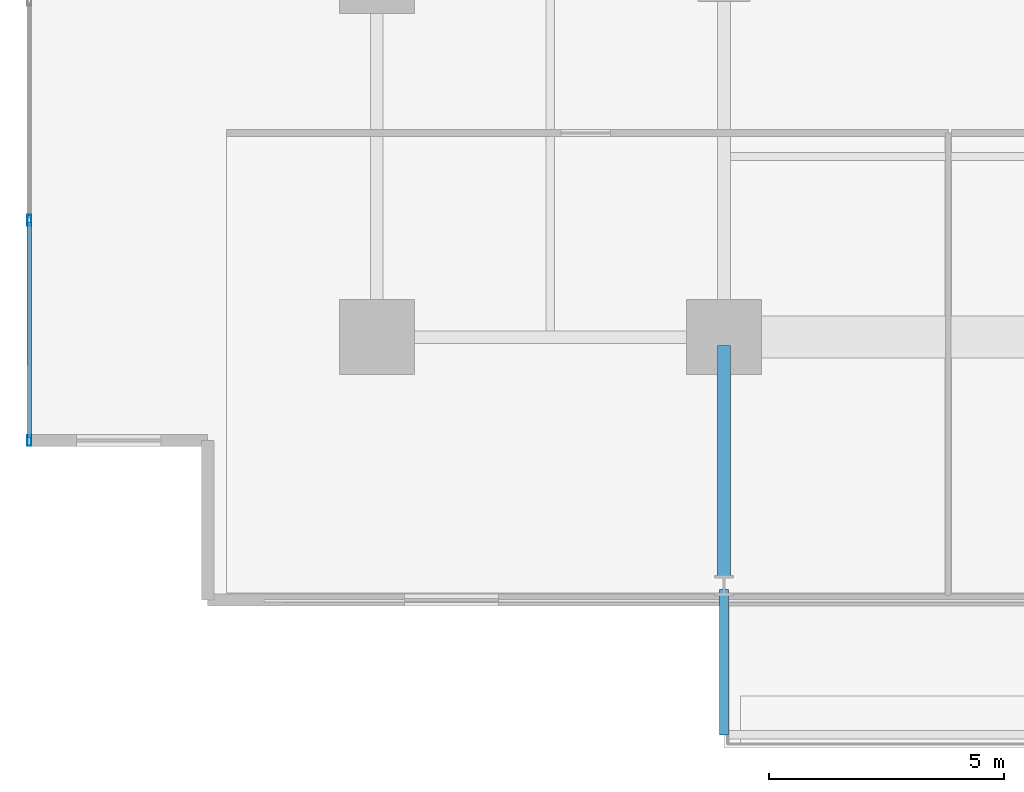
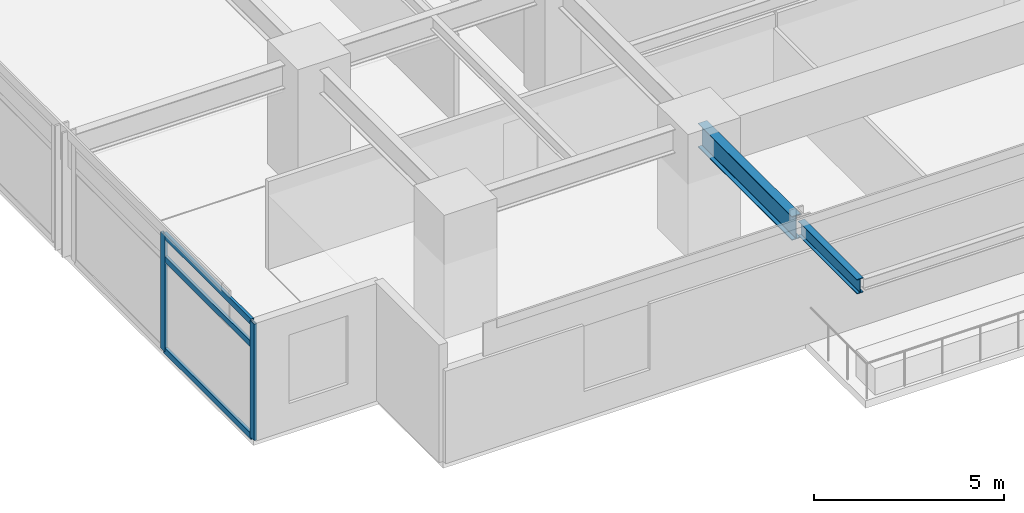
# One storey, part 2 of 23: 5 members, 2 beams, 1 element without a shape of its own.
"""IFC4 building model written with IfcOpenShell, lengths in metres."""

from ifc_helpers import new_model, si_unit, direction, frame, origin, origin_2d, place, context, subcontext, project, spatial, hollow_rectangle, i_section, extrude, material, material_profile, profile_set, type_object, element, aggregate, save


model = new_model("IFC4")

# Units and contexts
model_context = context("Model", 3, precision=1e-05, world=origin(), true_north=direction((0.0, 1.0)))
body_context = subcontext(model_context, "Body", "Model", "MODEL_VIEW")
ifc_project = project(units=[si_unit("LENGTHUNIT", "METRE"), si_unit("AREAUNIT", "SQUARE_METRE"), si_unit("VOLUMEUNIT", "CUBIC_METRE"), si_unit("PLANEANGLEUNIT", "RADIAN"), si_unit("MASSUNIT", "GRAM", prefix="KILO")], contexts=[model_context])

# Site, building, storey
site_placement = place(None, origin())
site = spatial("IfcSite", under=ifc_project, at=site_placement, CompositionType="ELEMENT")
building_placement = place(site_placement, origin())
building = spatial("IfcBuilding", under=site, at=building_placement, Name="Kovane Verandah Tower", CompositionType="ELEMENT")
storey_placement = place(building_placement, frame((0.0, 0.0, 148.39990234375)))
storey = spatial("IfcBuildingStorey", under=building, at=storey_placement, Name="L34", CompositionType="ELEMENT", Elevation=148.39990234375)

# Beam
ifc_material_1 = material(Name="Steel S355", Category="steel")
ifc_material_profile_1 = material_profile(ifc_material_1, i_section(OverallWidth=0.26806640625, OverallDepth=0.769775390625, WebThickness=0.015625, FlangeThickness=0.025390625, FilletRadius=0.0166015625, at=origin_2d()), Name="UB762x267x197")
ifc_profile_set_1 = profile_set([ifc_material_profile_1], Name="Steel S355")
beam_type_1 = type_object("IfcBeamType", Name="BM-UB762x197", PredefinedType="BEAM", material=ifc_profile_set_1)
beam_1_placement = place(storey_placement, frame((29.0, 10.6201171875, 3.375244140625), z_axis=(0.0, -1.0, 0.0), x_axis=(1.0, 0.0, 0.0)))
element("IfcBeam", 1, at=beam_1_placement, inside=storey, type_object=beam_type_1, Name="L34 Primary Tower Girder G-VS1", PredefinedType="BEAM", context=body_context, shape_type="SweptSolid", body=[
    extrude(i_section(OverallWidth=0.26806640625, OverallDepth=0.769775390625, WebThickness=0.015625, FlangeThickness=0.025390625, FilletRadius=0.0166015625, at=origin_2d()), origin(), (0.0, 0.0, 1.0), 4.940185546875),
])

# Curtain wall, members
ifc_material_2 = material(Name="Champagne Anodised Aluminium Frame with Low-E Clear Laminated Glass", Category="aluminium")
curtain_wall_type = type_object("IfcCurtainWallType", Name="CW-SYS-03-MID", PredefinedType="NOTDEFINED", material=ifc_material_2)
curtain_wall_placement = place(storey_placement, origin())
curtain_wall = element("IfcCurtainWall", 2, at=curtain_wall_placement, inside=storey, type_object=curtain_wall_type, Name="L34 W Unitised Curtain Wall-3", PredefinedType="NOTDEFINED")
ifc_material_3 = material(Name="Champagne Anodised Aluminium 6063-T6", Category="aluminium")
ifc_material_profile_2 = material_profile(ifc_material_3, hollow_rectangle(XDim=0.0849609375, YDim=0.22998046875, WallThickness=0.00390625, at=origin_2d()), Name="AL85x230x4")
ifc_profile_set_2 = profile_set([ifc_material_profile_2], Name="Champagne Anodised Aluminium 6063-T6")
member_type_1 = type_object("IfcMemberType", Name="CW-MUL-85x230", PredefinedType="MULLION", material=ifc_profile_set_2)
member_1_placement = place(storey_placement, frame((14.19482421875, 13.2880859375, 0.02001953125), z_axis=(0.0, 0.0, 1.0), x_axis=(-1.0, 0.0, 0.0)))
member_1 = element("IfcMember", 3, at=member_1_placement, type_object=member_type_1, Name="L34 W Unitised Curtain Wall-3 Mullion 2", PredefinedType="MULLION", context=body_context, shape_type="SweptSolid", body=[
    extrude(hollow_rectangle(XDim=0.0849609375, YDim=0.22998046875, WallThickness=0.00390625, at=origin_2d()), origin(), (0.0, 0.0, 1.0), 3.735107421875),
])
member_2_placement = place(storey_placement, frame((14.19482421875, 8.596435546875, 0.02001953125), z_axis=(0.0, 0.0, 1.0), x_axis=(-1.0, 0.0, 0.0)))
member_2 = element("IfcMember", 4, at=member_2_placement, type_object=member_type_1, Name="L34 W Unitised Curtain Wall-3 Mullion 3", PredefinedType="MULLION", context=body_context, shape_type="SweptSolid", body=[
    extrude(hollow_rectangle(XDim=0.0849609375, YDim=0.22998046875, WallThickness=0.00390625, at=origin_2d()), origin(), (0.0, 0.0, 1.0), 3.735107421875),
])
ifc_material_profile_3 = material_profile(ifc_material_3, hollow_rectangle(XDim=0.0849609375, YDim=0.18994140625, WallThickness=0.00390625, at=origin_2d()), Name="AL85x190x4")
ifc_profile_set_3 = profile_set([ifc_material_profile_3], Name="Champagne Anodised Aluminium 6063-T6")
member_type_2 = type_object("IfcMemberType", Name="CW-TRN-85x190", PredefinedType="USERDEFINED", material=ifc_profile_set_3)
member_3_placement = place(storey_placement, frame((14.19482421875, 13.23828125, 0.050048828125), z_axis=(0.0, -1.0, 0.0), x_axis=(1.0, 0.0, 0.0)))
member_3 = element("IfcMember", 5, at=member_3_placement, type_object=member_type_2, Name="L34 W Unitised Curtain Wall-3 Transom TB Bay 2", ObjectType="TRANSOM", PredefinedType="USERDEFINED", context=body_context, shape_type="SweptSolid", body=[
    extrude(hollow_rectangle(XDim=0.0849609375, YDim=0.18994140625, WallThickness=0.00390625, at=origin_2d()), origin(), (0.0, 0.0, 1.0), 4.591796875),
])
member_4_placement = place(storey_placement, frame((14.19482421875, 13.23828125, 2.9951171875), z_axis=(0.0, -1.0, 0.0), x_axis=(1.0, 0.0, 0.0)))
member_4 = element("IfcMember", 6, at=member_4_placement, type_object=member_type_2, Name="L34 W Unitised Curtain Wall-3 Transom TM Bay 2", ObjectType="TRANSOM", PredefinedType="USERDEFINED", context=body_context, shape_type="SweptSolid", body=[
    extrude(hollow_rectangle(XDim=0.0849609375, YDim=0.18994140625, WallThickness=0.00390625, at=origin_2d()), origin(), (0.0, 0.0, 1.0), 4.591796875),
])
member_5_placement = place(storey_placement, frame((14.19482421875, 13.23828125, 3.72509765625), z_axis=(0.0, -1.0, 0.0), x_axis=(1.0, 0.0, 0.0)))
member_5 = element("IfcMember", 7, at=member_5_placement, type_object=member_type_2, Name="L34 W Unitised Curtain Wall-3 Transom TT Bay 2", ObjectType="TRANSOM", PredefinedType="USERDEFINED", context=body_context, shape_type="SweptSolid", body=[
    extrude(hollow_rectangle(XDim=0.0849609375, YDim=0.18994140625, WallThickness=0.00390625, at=origin_2d()), origin(), (0.0, 0.0, 1.0), 4.591796875),
])
aggregate(curtain_wall, [member_1, member_2, member_3, member_4, member_5])

# Beam
ifc_material_profile_4 = material_profile(ifc_material_1, i_section(OverallWidth=0.19287109375, OverallDepth=0.46728515625, WebThickness=0.011474609375, FlangeThickness=0.01953125, FilletRadius=0.01025390625, at=origin_2d()), Name="UB457x191x98")
ifc_profile_set_4 = profile_set([ifc_material_profile_4], Name="Steel S355")
beam_type_2 = type_object("IfcBeamType", Name="JST-UB457x98", PredefinedType="JOIST", material=ifc_profile_set_4)
beam_2_placement = place(storey_placement, frame((29.0, 5.419921875, 3.526611328125), z_axis=(0.0, -1.0, 0.0), x_axis=(1.0, 0.0, 0.0)))
element("IfcBeam", 8, at=beam_2_placement, inside=storey, type_object=beam_type_2, Name="L34 South Planter Girder 1", PredefinedType="JOIST", context=body_context, shape_type="SweptSolid", body=[
    extrude(i_section(OverallWidth=0.19287109375, OverallDepth=0.46728515625, WebThickness=0.011474609375, FlangeThickness=0.01953125, FilletRadius=0.01025390625, at=origin_2d()), origin(), (0.0, 0.0, 1.0), 3.09716796875),
])

save(model, "model.ifc")
